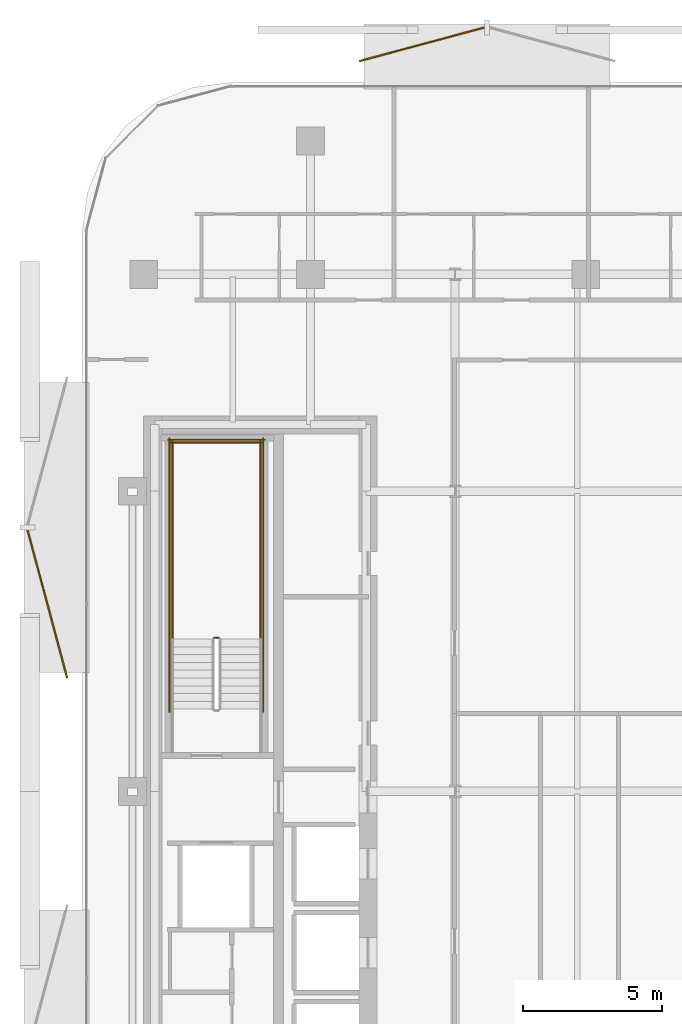
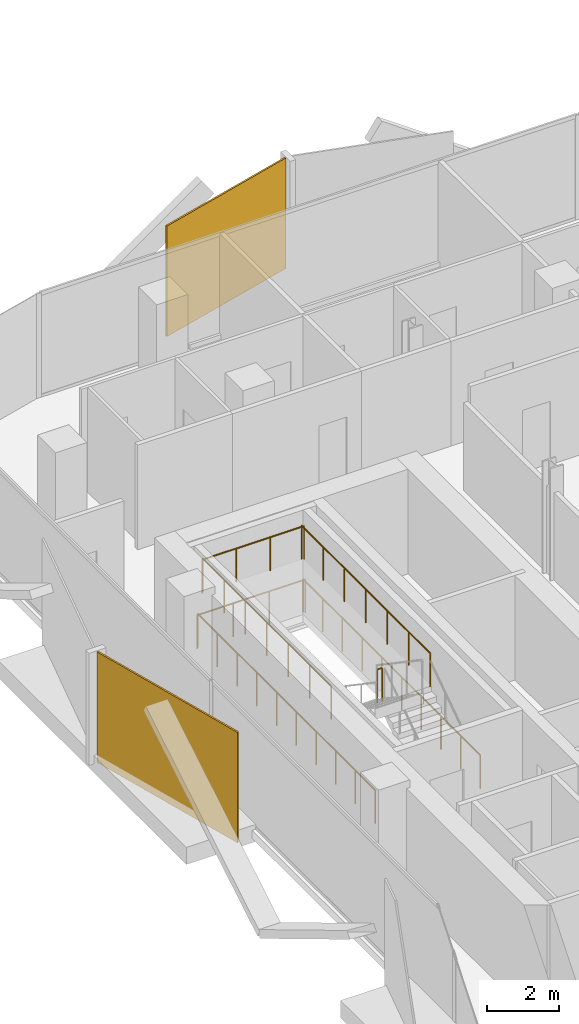
# One storey, part 16 of 17: 7 railings, 2 coverings.
"""IFC4 building model written with IfcOpenShell, lengths in metres."""

from ifc_helpers import new_model, si_unit, direction, frame, origin, origin_2d, place, context, subcontext, project, spatial, rectangle, circle, extrude, material, layer, layer_set, type_object, element, save


model = new_model("IFC4")

# Units and contexts
model_context = context("Model", 3, precision=1e-05, world=origin(), true_north=direction((0.0, 1.0)))
body_context = subcontext(model_context, "Body", "Model", "MODEL_VIEW")
ifc_project = project(units=[si_unit("LENGTHUNIT", "METRE"), si_unit("AREAUNIT", "SQUARE_METRE"), si_unit("VOLUMEUNIT", "CUBIC_METRE"), si_unit("PLANEANGLEUNIT", "RADIAN"), si_unit("MASSUNIT", "GRAM", prefix="KILO")], contexts=[model_context])

# Site, building, storey
site_placement = place(None, origin())
site = spatial("IfcSite", under=ifc_project, at=site_placement, CompositionType="ELEMENT")
building_placement = place(site_placement, origin())
building = spatial("IfcBuilding", under=site, at=building_placement, Name="Khairoan Windgate Tower", CompositionType="ELEMENT")
storey_placement = place(building_placement, frame((0.0, 0.0, 195.39990234375)))
storey = spatial("IfcBuildingStorey", under=building, at=storey_placement, Name="L45", CompositionType="ELEMENT", Elevation=195.39990234375)

# Coverings
ifc_material_1 = material(Name="Anodised Bronze Aluminium 6063-T6", Category="aluminium")
ifc_layer = layer(ifc_material_1, 0.054931640625, Name="Anodised Bronze Aluminium 6063-T6")
ifc_layer_set = layer_set([ifc_layer], Name="Anodised Bronze Aluminium 6063-T6")
covering_type = type_object("IfcCoveringType", Name="Perforated Bronze-Ceramic Folded Solar Screen Cladding BSC-1", PredefinedType="CLADDING", material=ifc_layer_set)
covering_1_placement = place(storey_placement, frame((-23.8671875, 6.74560546875, -0.10009765625), z_axis=(0.0, 0.0, 1.0), x_axis=(-0.258819045103, 0.965925826289, 0.0)))
element("IfcCovering", 1, at=covering_1_placement, inside=storey, type_object=covering_type, Name="L45 Folded Bronze Solar Screen Facet 300L", PredefinedType="CLADDING", context=body_context, shape_type="SweptSolid", body=[
    extrude(rectangle(XDim=5.507080078125, YDim=0.054931640625, at=origin_2d()), origin(), (0.0, 0.0, 1.0), 3.739990234375),
])
covering_2_placement = place(storey_placement, frame((-10.388916015625, 26.876220703125, -0.10009765625), z_axis=(0.0, 0.0, 1.0), x_axis=(0.965925826289, 0.258819045103, 0.0)))
element("IfcCovering", 2, at=covering_2_placement, inside=storey, type_object=covering_type, Name="L45 Folded Bronze Solar Screen Facet 301L", PredefinedType="CLADDING", context=body_context, shape_type="SweptSolid", body=[
    extrude(rectangle(XDim=4.666015625, YDim=0.054931640625, at=origin_2d()), origin(), (0.0, 0.0, 1.0), 3.739990234375),
])

# Railings
ifc_material_2 = material(Name="Steel S355", Category="steel")
railing_type = type_object("IfcRailingType", Name="Stairwell Safety Guardrail SGR-1150", PredefinedType="GUARDRAIL", material=ifc_material_2)
railing_1_placement = place(storey_placement, frame((-17.7099609375, 5.530029296875, 1.900146484375)))
element("IfcRailing", 3, at=railing_1_placement, inside=storey, type_object=railing_type, Name="L45 ST2 stair guard 2", PredefinedType="GUARDRAIL", context=body_context, shape_type="SweptSolid", body=[
    extrude(circle(Radius=0.02392578125, at=origin_2d()), frame((0.0, 0.0, 1.1259765625), z_axis=(-1.0, 0.0, 0.0), x_axis=(0.0, -1.0, 0.0)), (0.0, 0.0, 1.0), 0.150146484375),
    extrude(circle(Radius=0.02099609375, at=origin_2d()), origin(), (0.0, 0.0, 1.0), 1.101806640625),
    extrude(circle(Radius=0.02099609375, at=origin_2d()), frame((-0.150146484375, 0.0, 0.0)), (0.0, 0.0, 1.0), 1.101806640625),
])
for number, where, name in (
    (4, (-16.199951171875, 5.47998046875, 1.900146484375), "L45 ST2 stair guard 3"),
    (5, (-19.3701171875, 5.47998046875, 1.900146484375), "L45 ST2 stair guard 4"),
):
    element("IfcRailing", number, at=place(storey_placement, frame(where)), inside=storey, type_object=railing_type, Name=name, PredefinedType="GUARDRAIL", context=body_context, shape_type="SweptSolid", body=[
        extrude(circle(Radius=0.02392578125, at=origin_2d()), frame((0.0, 0.0, 1.1259765625), z_axis=(0.0, 1.0, 0.0), x_axis=(-1.0, 0.0, 0.0)), (0.0, 0.0, 1.0), 7.1201171875),
        extrude(circle(Radius=0.02099609375, at=origin_2d()), origin(), (0.0, 0.0, 1.0), 1.101806640625),
        extrude(circle(Radius=0.02099609375, at=origin_2d()), frame((0.0, 1.186767578125, 0.0)), (0.0, 0.0, 1.0), 1.101806640625),
        extrude(circle(Radius=0.02099609375, at=origin_2d()), frame((0.0, 2.373291015625, 0.0)), (0.0, 0.0, 1.0), 1.101806640625),
        extrude(circle(Radius=0.02099609375, at=origin_2d()), frame((0.0, 3.56005859375, 0.0)), (0.0, 0.0, 1.0), 1.101806640625),
        extrude(circle(Radius=0.02099609375, at=origin_2d()), frame((0.0, 4.746826171875, 0.0)), (0.0, 0.0, 1.0), 1.101806640625),
        extrude(circle(Radius=0.02099609375, at=origin_2d()), frame((0.0, 5.933349609375, 0.0)), (0.0, 0.0, 1.0), 1.101806640625),
        extrude(circle(Radius=0.02099609375, at=origin_2d()), frame((0.0, 7.1201171875, 0.0)), (0.0, 0.0, 1.0), 1.101806640625),
    ])
railing_2_placement = place(storey_placement, frame((-16.14990234375, 12.550048828125, 1.900146484375)))
element("IfcRailing", 6, at=railing_2_placement, inside=storey, type_object=railing_type, Name="L45 ST2 stair guard 5", PredefinedType="GUARDRAIL", context=body_context, shape_type="SweptSolid", body=[
    extrude(circle(Radius=0.02392578125, at=origin_2d()), frame((0.0, 0.0, 1.1259765625), z_axis=(-1.0, 0.0, 0.0), x_axis=(0.0, -1.0, 0.0)), (0.0, 0.0, 1.0), 3.27001953125),
    extrude(circle(Radius=0.02099609375, at=origin_2d()), origin(), (0.0, 0.0, 1.0), 1.101806640625),
    extrude(circle(Radius=0.02099609375, at=origin_2d()), frame((-1.090087890625, 0.0, 0.0)), (0.0, 0.0, 1.0), 1.101806640625),
    extrude(circle(Radius=0.02099609375, at=origin_2d()), frame((-2.179931640625, 0.0, 0.0)), (0.0, 0.0, 1.0), 1.101806640625),
    extrude(circle(Radius=0.02099609375, at=origin_2d()), frame((-3.27001953125, 0.0, 0.0)), (0.0, 0.0, 1.0), 1.101806640625),
])
for number, where, name in (
    (7, (-16.10009765625, 2.860107421875, 0.0), "L45 ST2 stair guard 10"),
    (8, (-19.469970703125, 2.860107421875, 0.0), "L45 ST2 stair guard 11"),
):
    element("IfcRailing", number, at=place(storey_placement, frame(where)), inside=storey, type_object=railing_type, Name=name, PredefinedType="GUARDRAIL", context=body_context, shape_type="SweptSolid", body=[
        extrude(circle(Radius=0.02392578125, at=origin_2d()), frame((0.0, 0.0, 1.1259765625), z_axis=(0.0, 1.0, 0.0), x_axis=(-1.0, 0.0, 0.0)), (0.0, 0.0, 1.0), 9.83984375),
        extrude(circle(Radius=0.02099609375, at=origin_2d()), origin(), (0.0, 0.0, 1.0), 1.101806640625),
        extrude(circle(Radius=0.02099609375, at=origin_2d()), frame((0.0, 1.09326171875, 0.0)), (0.0, 0.0, 1.0), 1.101806640625),
        extrude(circle(Radius=0.02099609375, at=origin_2d()), frame((0.0, 2.1865234375, 0.0)), (0.0, 0.0, 1.0), 1.101806640625),
        extrude(circle(Radius=0.02099609375, at=origin_2d()), frame((0.0, 3.280029296875, 0.0)), (0.0, 0.0, 1.0), 1.101806640625),
        extrude(circle(Radius=0.02099609375, at=origin_2d()), frame((0.0, 4.373291015625, 0.0)), (0.0, 0.0, 1.0), 1.101806640625),
        extrude(circle(Radius=0.02099609375, at=origin_2d()), frame((0.0, 5.466552734375, 0.0)), (0.0, 0.0, 1.0), 1.101806640625),
        extrude(circle(Radius=0.02099609375, at=origin_2d()), frame((0.0, 6.559814453125, 0.0)), (0.0, 0.0, 1.0), 1.101806640625),
        extrude(circle(Radius=0.02099609375, at=origin_2d()), frame((0.0, 7.6533203125, 0.0)), (0.0, 0.0, 1.0), 1.101806640625),
        extrude(circle(Radius=0.02099609375, at=origin_2d()), frame((0.0, 8.74658203125, 0.0)), (0.0, 0.0, 1.0), 1.101806640625),
        extrude(circle(Radius=0.02099609375, at=origin_2d()), frame((0.0, 9.83984375, 0.0)), (0.0, 0.0, 1.0), 1.101806640625),
    ])
railing_3_placement = place(storey_placement, frame((-16.050048828125, 12.64990234375, 0.0)))
element("IfcRailing", 9, at=railing_3_placement, inside=storey, type_object=railing_type, Name="L45 ST2 stair guard 12", PredefinedType="GUARDRAIL", context=body_context, shape_type="SweptSolid", body=[
    extrude(circle(Radius=0.02392578125, at=origin_2d()), frame((0.0, 0.0, 1.1259765625), z_axis=(-1.0, 0.0, 0.0), x_axis=(0.0, -1.0, 0.0)), (0.0, 0.0, 1.0), 3.469970703125),
    extrude(circle(Radius=0.02099609375, at=origin_2d()), origin(), (0.0, 0.0, 1.0), 1.101806640625),
    extrude(circle(Radius=0.02099609375, at=origin_2d()), frame((-1.15673828125, 0.0, 0.0)), (0.0, 0.0, 1.0), 1.101806640625),
    extrude(circle(Radius=0.02099609375, at=origin_2d()), frame((-2.313232421875, 0.0, 0.0)), (0.0, 0.0, 1.0), 1.101806640625),
    extrude(circle(Radius=0.02099609375, at=origin_2d()), frame((-3.469970703125, 0.0, 0.0)), (0.0, 0.0, 1.0), 1.101806640625),
])

save(model, "model.ifc")
